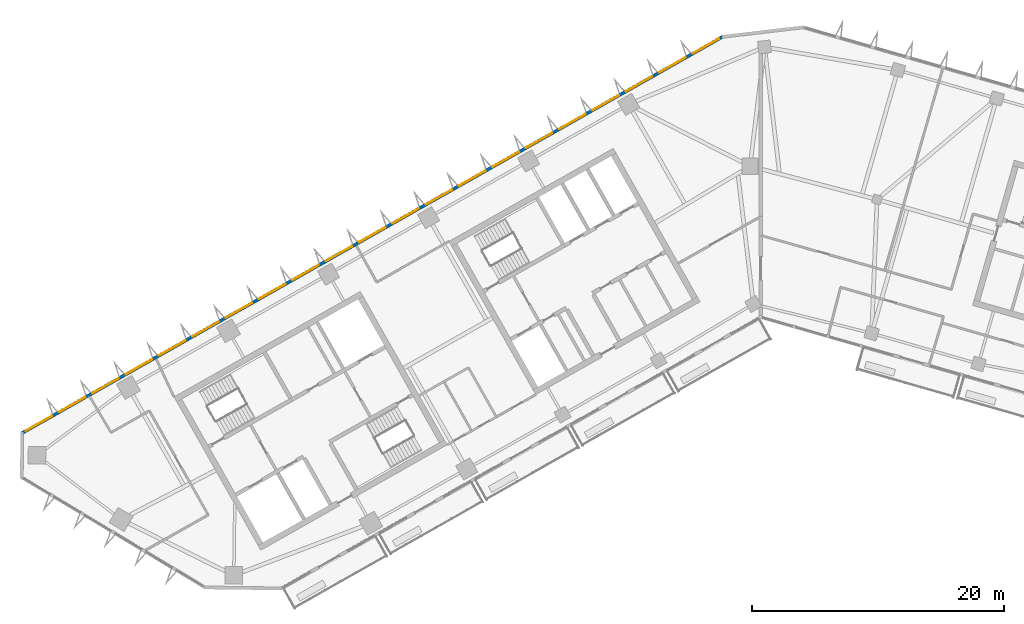
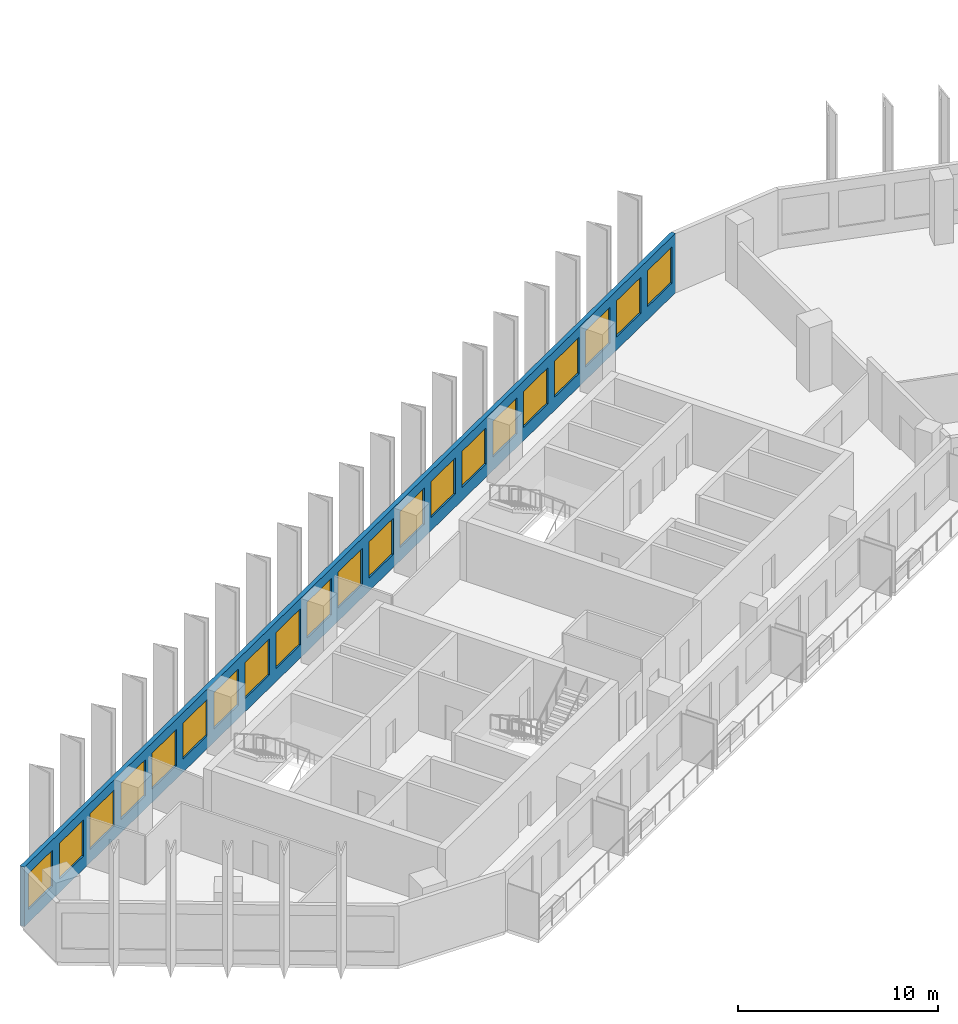
# One storey, part 4 of 12: 21 windows, 1 wall, 21 openings.
"""IFC4 building model written with IfcOpenShell, lengths in metres."""

from ifc_helpers import new_model, si_unit, direction, frame, frame_2d, origin, place, context, subcontext, project, spatial, rectangle, extrude, material, layer, layer_set, type_object, element, fill, save


model = new_model("IFC4")

# Units and contexts
model_context = context("Model", 3, precision=1e-05, world=origin(), true_north=direction((0.0, 1.0)))
body_context = subcontext(model_context, "Body", "Model", "MODEL_VIEW")
ifc_project = project(units=[si_unit("LENGTHUNIT", "METRE"), si_unit("AREAUNIT", "SQUARE_METRE"), si_unit("VOLUMEUNIT", "CUBIC_METRE"), si_unit("PLANEANGLEUNIT", "RADIAN"), si_unit("MASSUNIT", "GRAM", prefix="KILO")], contexts=[model_context])

# Site, building, storey
site_placement = place(None, origin())
site = spatial("IfcSite", under=ifc_project, at=site_placement, CompositionType="ELEMENT")
building_placement = place(site_placement, origin())
building = spatial("IfcBuilding", under=site, at=building_placement, Name="Binnacle Exchange Tower", CompositionType="ELEMENT")
storey_placement = place(building_placement, frame((0.0, 0.0, 238.699951171875)))
storey = spatial("IfcBuildingStorey", under=building, at=storey_placement, Name="L52", CompositionType="ELEMENT", Elevation=238.699951171875)

# Wall, openings, windows
ifc_material_1 = material(Name="Bronze aluminium cladding", Category="aluminium")
ifc_layer = layer(ifc_material_1, 0.25)
ifc_layer_set = layer_set([ifc_layer], Name="External wall - window wall 250")
wall_type = type_object("IfcWallType", Name="External wall - window wall 250", PredefinedType="STANDARD", material=ifc_layer_set)
wall_placement = place(storey_placement, frame((-58.732177734375, 38.770751953125, 0.0), z_axis=(0.0, 0.0, 1.0), x_axis=(0.870354824205, 0.492425100887, 0.0)))
wall = element("IfcWall", 1, at=wall_placement, inside=storey, type_object=wall_type, Name="External wall EW-G08 L52", PredefinedType="STANDARD", context=body_context, shape_type="SweptSolid", body=[
    extrude(rectangle(XDim=64.005859375, YDim=0.25, at=frame_2d((32.0029296875, 0.0))), origin(), (0.0, 0.0, 1.0), 3.6201171875),
])
opening_1_placement = place(wall_placement, frame((61.25927734375, 0.0, 0.800048828125)))
opening_1 = element("IfcOpeningElement", 2, at=opening_1_placement, cuts=wall, Name="Opening WR1", PredefinedType="OPENING", context=body_context, shape_type="SweptSolid", body=[
    extrude(rectangle(XDim=2.39990234375, YDim=2.199951171875, at=frame_2d((1.199951171875, 1.10009765625))), frame((0.0, 0.135009765625, 0.0), z_axis=(0.0, -1.0, 0.0), x_axis=(1.0, 0.0, 0.0)), (0.0, 0.0, 1.0), 0.27001953125),
])
opening_2_placement = place(wall_placement, frame((58.2158203125, 0.0, 0.800048828125)))
opening_2 = element("IfcOpeningElement", 3, at=opening_2_placement, cuts=wall, Name="Opening WR1", PredefinedType="OPENING", context=body_context, shape_type="SweptSolid", body=[
    extrude(rectangle(XDim=2.39990234375, YDim=2.199951171875, at=frame_2d((1.199951171875, 1.10009765625))), frame((0.0, 0.135009765625, 0.0), z_axis=(0.0, -1.0, 0.0), x_axis=(1.0, 0.0, 0.0)), (0.0, 0.0, 1.0), 0.27001953125),
])
opening_3_placement = place(wall_placement, frame((55.172607421875, 0.0, 0.800048828125)))
opening_3 = element("IfcOpeningElement", 4, at=opening_3_placement, cuts=wall, Name="Opening WR1", PredefinedType="OPENING", context=body_context, shape_type="SweptSolid", body=[
    extrude(rectangle(XDim=2.39990234375, YDim=2.199951171875, at=frame_2d((1.199951171875, 1.10009765625))), frame((0.0, 0.135009765625, 0.0), z_axis=(0.0, -1.0, 0.0), x_axis=(1.0, 0.0, 0.0)), (0.0, 0.0, 1.0), 0.27001953125),
])
opening_4_placement = place(wall_placement, frame((52.12939453125, 0.0, 0.800048828125)))
opening_4 = element("IfcOpeningElement", 5, at=opening_4_placement, cuts=wall, Name="Opening WR1", PredefinedType="OPENING", context=body_context, shape_type="SweptSolid", body=[
    extrude(rectangle(XDim=2.39990234375, YDim=2.199951171875, at=frame_2d((1.199951171875, 1.10009765625))), frame((0.0, 0.135009765625, 0.0), z_axis=(0.0, -1.0, 0.0), x_axis=(1.0, 0.0, 0.0)), (0.0, 0.0, 1.0), 0.27001953125),
])
opening_5_placement = place(wall_placement, frame((49.0859375, 0.0, 0.800048828125)))
opening_5 = element("IfcOpeningElement", 6, at=opening_5_placement, cuts=wall, Name="Opening WR1", PredefinedType="OPENING", context=body_context, shape_type="SweptSolid", body=[
    extrude(rectangle(XDim=2.39990234375, YDim=2.199951171875, at=frame_2d((1.199951171875, 1.10009765625))), frame((0.0, 0.135009765625, 0.0), z_axis=(0.0, -1.0, 0.0), x_axis=(1.0, 0.0, 0.0)), (0.0, 0.0, 1.0), 0.27001953125),
])
opening_6_placement = place(wall_placement, frame((46.042724609375, 0.0, 0.800048828125)))
opening_6 = element("IfcOpeningElement", 7, at=opening_6_placement, cuts=wall, Name="Opening WR1", PredefinedType="OPENING", context=body_context, shape_type="SweptSolid", body=[
    extrude(rectangle(XDim=2.39990234375, YDim=2.199951171875, at=frame_2d((1.199951171875, 1.10009765625))), frame((0.0, 0.135009765625, 0.0), z_axis=(0.0, -1.0, 0.0), x_axis=(1.0, 0.0, 0.0)), (0.0, 0.0, 1.0), 0.27001953125),
])
opening_7_placement = place(wall_placement, frame((42.99951171875, 0.0, 0.800048828125)))
opening_7 = element("IfcOpeningElement", 8, at=opening_7_placement, cuts=wall, Name="Opening WR1", PredefinedType="OPENING", context=body_context, shape_type="SweptSolid", body=[
    extrude(rectangle(XDim=2.39990234375, YDim=2.199951171875, at=frame_2d((1.199951171875, 1.10009765625))), frame((0.0, 0.135009765625, 0.0), z_axis=(0.0, -1.0, 0.0), x_axis=(1.0, 0.0, 0.0)), (0.0, 0.0, 1.0), 0.27001953125),
])
opening_8_placement = place(wall_placement, frame((39.956298828125, 0.0, 0.800048828125)))
opening_8 = element("IfcOpeningElement", 9, at=opening_8_placement, cuts=wall, Name="Opening WR1", PredefinedType="OPENING", context=body_context, shape_type="SweptSolid", body=[
    extrude(rectangle(XDim=2.39990234375, YDim=2.199951171875, at=frame_2d((1.199951171875, 1.10009765625))), frame((0.0, 0.135009765625, 0.0), z_axis=(0.0, -1.0, 0.0), x_axis=(1.0, 0.0, 0.0)), (0.0, 0.0, 1.0), 0.27001953125),
])
opening_9_placement = place(wall_placement, frame((36.912841796875, 0.0, 0.800048828125)))
opening_9 = element("IfcOpeningElement", 10, at=opening_9_placement, cuts=wall, Name="Opening WR1", PredefinedType="OPENING", context=body_context, shape_type="SweptSolid", body=[
    extrude(rectangle(XDim=2.39990234375, YDim=2.199951171875, at=frame_2d((1.199951171875, 1.10009765625))), frame((0.0, 0.135009765625, 0.0), z_axis=(0.0, -1.0, 0.0), x_axis=(1.0, 0.0, 0.0)), (0.0, 0.0, 1.0), 0.27001953125),
])
opening_10_placement = place(wall_placement, frame((33.86962890625, 0.0, 0.800048828125)))
opening_10 = element("IfcOpeningElement", 11, at=opening_10_placement, cuts=wall, Name="Opening WR1", PredefinedType="OPENING", context=body_context, shape_type="SweptSolid", body=[
    extrude(rectangle(XDim=2.39990234375, YDim=2.199951171875, at=frame_2d((1.199951171875, 1.10009765625))), frame((0.0, 0.135009765625, 0.0), z_axis=(0.0, -1.0, 0.0), x_axis=(1.0, 0.0, 0.0)), (0.0, 0.0, 1.0), 0.27001953125),
])
opening_11_placement = place(wall_placement, frame((30.826416015625, 0.0, 0.800048828125)))
opening_11 = element("IfcOpeningElement", 12, at=opening_11_placement, cuts=wall, Name="Opening WR1", PredefinedType="OPENING", context=body_context, shape_type="SweptSolid", body=[
    extrude(rectangle(XDim=2.39990234375, YDim=2.199951171875, at=frame_2d((1.199951171875, 1.10009765625))), frame((0.0, 0.135009765625, 0.0), z_axis=(0.0, -1.0, 0.0), x_axis=(1.0, 0.0, 0.0)), (0.0, 0.0, 1.0), 0.27001953125),
])
opening_12_placement = place(wall_placement, frame((27.782958984375, 0.0, 0.800048828125)))
opening_12 = element("IfcOpeningElement", 13, at=opening_12_placement, cuts=wall, Name="Opening WR1", PredefinedType="OPENING", context=body_context, shape_type="SweptSolid", body=[
    extrude(rectangle(XDim=2.39990234375, YDim=2.199951171875, at=frame_2d((1.199951171875, 1.10009765625))), frame((0.0, 0.135009765625, 0.0), z_axis=(0.0, -1.0, 0.0), x_axis=(1.0, 0.0, 0.0)), (0.0, 0.0, 1.0), 0.27001953125),
])
opening_13_placement = place(wall_placement, frame((24.73974609375, 0.0, 0.800048828125)))
opening_13 = element("IfcOpeningElement", 14, at=opening_13_placement, cuts=wall, Name="Opening WR1", PredefinedType="OPENING", context=body_context, shape_type="SweptSolid", body=[
    extrude(rectangle(XDim=2.39990234375, YDim=2.199951171875, at=frame_2d((1.199951171875, 1.10009765625))), frame((0.0, 0.135009765625, 0.0), z_axis=(0.0, -1.0, 0.0), x_axis=(1.0, 0.0, 0.0)), (0.0, 0.0, 1.0), 0.27001953125),
])
opening_14_placement = place(wall_placement, frame((21.6962890625, 0.0, 0.800048828125)))
opening_14 = element("IfcOpeningElement", 15, at=opening_14_placement, cuts=wall, Name="Opening WR1", PredefinedType="OPENING", context=body_context, shape_type="SweptSolid", body=[
    extrude(rectangle(XDim=2.39990234375, YDim=2.199951171875, at=frame_2d((1.199951171875, 1.10009765625))), frame((0.0, 0.135009765625, 0.0), z_axis=(0.0, -1.0, 0.0), x_axis=(1.0, 0.0, 0.0)), (0.0, 0.0, 1.0), 0.27001953125),
])
opening_15_placement = place(wall_placement, frame((18.6533203125, 0.0, 0.800048828125)))
opening_15 = element("IfcOpeningElement", 16, at=opening_15_placement, cuts=wall, Name="Opening WR1", PredefinedType="OPENING", context=body_context, shape_type="SweptSolid", body=[
    extrude(rectangle(XDim=2.39990234375, YDim=2.199951171875, at=frame_2d((1.199951171875, 1.10009765625))), frame((0.0, 0.135009765625, 0.0), z_axis=(0.0, -1.0, 0.0), x_axis=(1.0, 0.0, 0.0)), (0.0, 0.0, 1.0), 0.27001953125),
])
opening_16_placement = place(wall_placement, frame((15.60986328125, 0.0, 0.800048828125)))
opening_16 = element("IfcOpeningElement", 17, at=opening_16_placement, cuts=wall, Name="Opening WR1", PredefinedType="OPENING", context=body_context, shape_type="SweptSolid", body=[
    extrude(rectangle(XDim=2.39990234375, YDim=2.199951171875, at=frame_2d((1.199951171875, 1.10009765625))), frame((0.0, 0.135009765625, 0.0), z_axis=(0.0, -1.0, 0.0), x_axis=(1.0, 0.0, 0.0)), (0.0, 0.0, 1.0), 0.27001953125),
])
opening_17_placement = place(wall_placement, frame((12.566650390625, 0.0, 0.800048828125)))
opening_17 = element("IfcOpeningElement", 18, at=opening_17_placement, cuts=wall, Name="Opening WR1", PredefinedType="OPENING", context=body_context, shape_type="SweptSolid", body=[
    extrude(rectangle(XDim=2.39990234375, YDim=2.199951171875, at=frame_2d((1.199951171875, 1.10009765625))), frame((0.0, 0.135009765625, 0.0), z_axis=(0.0, -1.0, 0.0), x_axis=(1.0, 0.0, 0.0)), (0.0, 0.0, 1.0), 0.27001953125),
])
opening_18_placement = place(wall_placement, frame((9.523193359375, 0.0, 0.800048828125)))
opening_18 = element("IfcOpeningElement", 19, at=opening_18_placement, cuts=wall, Name="Opening WR1", PredefinedType="OPENING", context=body_context, shape_type="SweptSolid", body=[
    extrude(rectangle(XDim=2.39990234375, YDim=2.199951171875, at=frame_2d((1.199951171875, 1.10009765625))), frame((0.0, 0.135009765625, 0.0), z_axis=(0.0, -1.0, 0.0), x_axis=(1.0, 0.0, 0.0)), (0.0, 0.0, 1.0), 0.27001953125),
])
opening_19_placement = place(wall_placement, frame((6.47998046875, 0.0, 0.800048828125)))
opening_19 = element("IfcOpeningElement", 20, at=opening_19_placement, cuts=wall, Name="Opening WR1", PredefinedType="OPENING", context=body_context, shape_type="SweptSolid", body=[
    extrude(rectangle(XDim=2.39990234375, YDim=2.199951171875, at=frame_2d((1.199951171875, 1.10009765625))), frame((0.0, 0.135009765625, 0.0), z_axis=(0.0, -1.0, 0.0), x_axis=(1.0, 0.0, 0.0)), (0.0, 0.0, 1.0), 0.27001953125),
])
opening_20_placement = place(wall_placement, frame((3.436767578125, 0.0, 0.800048828125)))
opening_20 = element("IfcOpeningElement", 21, at=opening_20_placement, cuts=wall, Name="Opening WR1", PredefinedType="OPENING", context=body_context, shape_type="SweptSolid", body=[
    extrude(rectangle(XDim=2.39990234375, YDim=2.199951171875, at=frame_2d((1.199951171875, 1.10009765625))), frame((0.0, 0.135009765625, 0.0), z_axis=(0.0, -1.0, 0.0), x_axis=(1.0, 0.0, 0.0)), (0.0, 0.0, 1.0), 0.27001953125),
])
opening_21_placement = place(wall_placement, frame((0.393310546875, 0.0, 0.800048828125)))
opening_21 = element("IfcOpeningElement", 22, at=opening_21_placement, cuts=wall, Name="Opening WR1", PredefinedType="OPENING", context=body_context, shape_type="SweptSolid", body=[
    extrude(rectangle(XDim=2.39990234375, YDim=2.199951171875, at=frame_2d((1.199951171875, 1.10009765625))), frame((0.0, 0.135009765625, 0.0), z_axis=(0.0, -1.0, 0.0), x_axis=(1.0, 0.0, 0.0)), (0.0, 0.0, 1.0), 0.27001953125),
])
ifc_material_2 = material(Name="Bronze anodised aluminium frame", Category="aluminium")
window_type = type_object("IfcWindowType", Name="WR1 WINDOW 2400x2200", PartitioningType="SINGLE_PANEL", PredefinedType="WINDOW", material=ifc_material_2)
window_1_placement = place(opening_1_placement, origin())
window_1 = element("IfcWindow", 23, at=window_1_placement, inside=storey, type_object=window_type, Name="Window WR1 L52", OverallHeight=2.199951171875, OverallWidth=2.39990234375, PartitioningType="SINGLE_PANEL", PredefinedType="WINDOW", context=body_context, shape_type="SweptSolid", body=[
    extrude(rectangle(XDim=2.39990234375, YDim=2.199951171875, at=frame_2d((1.199951171875, 1.10009765625))), frame((0.0, 0.030029296875, 0.0), z_axis=(0.0, -1.0, 0.0), x_axis=(1.0, 0.0, 0.0)), (0.0, 0.0, 1.0), 0.06005859375),
])
fill(opening_1, window_1)
window_2_placement = place(opening_2_placement, origin())
window_2 = element("IfcWindow", 24, at=window_2_placement, inside=storey, type_object=window_type, Name="Window WR1 L52", OverallHeight=2.199951171875, OverallWidth=2.39990234375, PartitioningType="SINGLE_PANEL", PredefinedType="WINDOW", context=body_context, shape_type="SweptSolid", body=[
    extrude(rectangle(XDim=2.39990234375, YDim=2.199951171875, at=frame_2d((1.199951171875, 1.10009765625))), frame((0.0, 0.030029296875, 0.0), z_axis=(0.0, -1.0, 0.0), x_axis=(1.0, 0.0, 0.0)), (0.0, 0.0, 1.0), 0.06005859375),
])
fill(opening_2, window_2)
window_3_placement = place(opening_3_placement, origin())
window_3 = element("IfcWindow", 25, at=window_3_placement, inside=storey, type_object=window_type, Name="Window WR1 L52", OverallHeight=2.199951171875, OverallWidth=2.39990234375, PartitioningType="SINGLE_PANEL", PredefinedType="WINDOW", context=body_context, shape_type="SweptSolid", body=[
    extrude(rectangle(XDim=2.39990234375, YDim=2.199951171875, at=frame_2d((1.199951171875, 1.10009765625))), frame((0.0, 0.030029296875, 0.0), z_axis=(0.0, -1.0, 0.0), x_axis=(1.0, 0.0, 0.0)), (0.0, 0.0, 1.0), 0.06005859375),
])
fill(opening_3, window_3)
window_4_placement = place(opening_4_placement, origin())
window_4 = element("IfcWindow", 26, at=window_4_placement, inside=storey, type_object=window_type, Name="Window WR1 L52", OverallHeight=2.199951171875, OverallWidth=2.39990234375, PartitioningType="SINGLE_PANEL", PredefinedType="WINDOW", context=body_context, shape_type="SweptSolid", body=[
    extrude(rectangle(XDim=2.39990234375, YDim=2.199951171875, at=frame_2d((1.199951171875, 1.10009765625))), frame((0.0, 0.030029296875, 0.0), z_axis=(0.0, -1.0, 0.0), x_axis=(1.0, 0.0, 0.0)), (0.0, 0.0, 1.0), 0.06005859375),
])
fill(opening_4, window_4)
window_5_placement = place(opening_5_placement, origin())
window_5 = element("IfcWindow", 27, at=window_5_placement, inside=storey, type_object=window_type, Name="Window WR1 L52", OverallHeight=2.199951171875, OverallWidth=2.39990234375, PartitioningType="SINGLE_PANEL", PredefinedType="WINDOW", context=body_context, shape_type="SweptSolid", body=[
    extrude(rectangle(XDim=2.39990234375, YDim=2.199951171875, at=frame_2d((1.199951171875, 1.10009765625))), frame((0.0, 0.030029296875, 0.0), z_axis=(0.0, -1.0, 0.0), x_axis=(1.0, 0.0, 0.0)), (0.0, 0.0, 1.0), 0.06005859375),
])
fill(opening_5, window_5)
window_6_placement = place(opening_6_placement, origin())
window_6 = element("IfcWindow", 28, at=window_6_placement, inside=storey, type_object=window_type, Name="Window WR1 L52", OverallHeight=2.199951171875, OverallWidth=2.39990234375, PartitioningType="SINGLE_PANEL", PredefinedType="WINDOW", context=body_context, shape_type="SweptSolid", body=[
    extrude(rectangle(XDim=2.39990234375, YDim=2.199951171875, at=frame_2d((1.199951171875, 1.10009765625))), frame((0.0, 0.030029296875, 0.0), z_axis=(0.0, -1.0, 0.0), x_axis=(1.0, 0.0, 0.0)), (0.0, 0.0, 1.0), 0.06005859375),
])
fill(opening_6, window_6)
window_7_placement = place(opening_7_placement, origin())
window_7 = element("IfcWindow", 29, at=window_7_placement, inside=storey, type_object=window_type, Name="Window WR1 L52", OverallHeight=2.199951171875, OverallWidth=2.39990234375, PartitioningType="SINGLE_PANEL", PredefinedType="WINDOW", context=body_context, shape_type="SweptSolid", body=[
    extrude(rectangle(XDim=2.39990234375, YDim=2.199951171875, at=frame_2d((1.199951171875, 1.10009765625))), frame((0.0, 0.030029296875, 0.0), z_axis=(0.0, -1.0, 0.0), x_axis=(1.0, 0.0, 0.0)), (0.0, 0.0, 1.0), 0.06005859375),
])
fill(opening_7, window_7)
window_8_placement = place(opening_8_placement, origin())
window_8 = element("IfcWindow", 30, at=window_8_placement, inside=storey, type_object=window_type, Name="Window WR1 L52", OverallHeight=2.199951171875, OverallWidth=2.39990234375, PartitioningType="SINGLE_PANEL", PredefinedType="WINDOW", context=body_context, shape_type="SweptSolid", body=[
    extrude(rectangle(XDim=2.39990234375, YDim=2.199951171875, at=frame_2d((1.199951171875, 1.10009765625))), frame((0.0, 0.030029296875, 0.0), z_axis=(0.0, -1.0, 0.0), x_axis=(1.0, 0.0, 0.0)), (0.0, 0.0, 1.0), 0.06005859375),
])
fill(opening_8, window_8)
window_9_placement = place(opening_9_placement, origin())
window_9 = element("IfcWindow", 31, at=window_9_placement, inside=storey, type_object=window_type, Name="Window WR1 L52", OverallHeight=2.199951171875, OverallWidth=2.39990234375, PartitioningType="SINGLE_PANEL", PredefinedType="WINDOW", context=body_context, shape_type="SweptSolid", body=[
    extrude(rectangle(XDim=2.39990234375, YDim=2.199951171875, at=frame_2d((1.199951171875, 1.10009765625))), frame((0.0, 0.030029296875, 0.0), z_axis=(0.0, -1.0, 0.0), x_axis=(1.0, 0.0, 0.0)), (0.0, 0.0, 1.0), 0.06005859375),
])
fill(opening_9, window_9)
window_10_placement = place(opening_10_placement, origin())
window_10 = element("IfcWindow", 32, at=window_10_placement, inside=storey, type_object=window_type, Name="Window WR1 L52", OverallHeight=2.199951171875, OverallWidth=2.39990234375, PartitioningType="SINGLE_PANEL", PredefinedType="WINDOW", context=body_context, shape_type="SweptSolid", body=[
    extrude(rectangle(XDim=2.39990234375, YDim=2.199951171875, at=frame_2d((1.199951171875, 1.10009765625))), frame((0.0, 0.030029296875, 0.0), z_axis=(0.0, -1.0, 0.0), x_axis=(1.0, 0.0, 0.0)), (0.0, 0.0, 1.0), 0.06005859375),
])
fill(opening_10, window_10)
window_11_placement = place(opening_11_placement, origin())
window_11 = element("IfcWindow", 33, at=window_11_placement, inside=storey, type_object=window_type, Name="Window WR1 L52", OverallHeight=2.199951171875, OverallWidth=2.39990234375, PartitioningType="SINGLE_PANEL", PredefinedType="WINDOW", context=body_context, shape_type="SweptSolid", body=[
    extrude(rectangle(XDim=2.39990234375, YDim=2.199951171875, at=frame_2d((1.199951171875, 1.10009765625))), frame((0.0, 0.030029296875, 0.0), z_axis=(0.0, -1.0, 0.0), x_axis=(1.0, 0.0, 0.0)), (0.0, 0.0, 1.0), 0.06005859375),
])
fill(opening_11, window_11)
window_12_placement = place(opening_12_placement, origin())
window_12 = element("IfcWindow", 34, at=window_12_placement, inside=storey, type_object=window_type, Name="Window WR1 L52", OverallHeight=2.199951171875, OverallWidth=2.39990234375, PartitioningType="SINGLE_PANEL", PredefinedType="WINDOW", context=body_context, shape_type="SweptSolid", body=[
    extrude(rectangle(XDim=2.39990234375, YDim=2.199951171875, at=frame_2d((1.199951171875, 1.10009765625))), frame((0.0, 0.030029296875, 0.0), z_axis=(0.0, -1.0, 0.0), x_axis=(1.0, 0.0, 0.0)), (0.0, 0.0, 1.0), 0.06005859375),
])
fill(opening_12, window_12)
window_13_placement = place(opening_13_placement, origin())
window_13 = element("IfcWindow", 35, at=window_13_placement, inside=storey, type_object=window_type, Name="Window WR1 L52", OverallHeight=2.199951171875, OverallWidth=2.39990234375, PartitioningType="SINGLE_PANEL", PredefinedType="WINDOW", context=body_context, shape_type="SweptSolid", body=[
    extrude(rectangle(XDim=2.39990234375, YDim=2.199951171875, at=frame_2d((1.199951171875, 1.10009765625))), frame((0.0, 0.030029296875, 0.0), z_axis=(0.0, -1.0, 0.0), x_axis=(1.0, 0.0, 0.0)), (0.0, 0.0, 1.0), 0.06005859375),
])
fill(opening_13, window_13)
window_14_placement = place(opening_14_placement, origin())
window_14 = element("IfcWindow", 36, at=window_14_placement, inside=storey, type_object=window_type, Name="Window WR1 L52", OverallHeight=2.199951171875, OverallWidth=2.39990234375, PartitioningType="SINGLE_PANEL", PredefinedType="WINDOW", context=body_context, shape_type="SweptSolid", body=[
    extrude(rectangle(XDim=2.39990234375, YDim=2.199951171875, at=frame_2d((1.199951171875, 1.10009765625))), frame((0.0, 0.030029296875, 0.0), z_axis=(0.0, -1.0, 0.0), x_axis=(1.0, 0.0, 0.0)), (0.0, 0.0, 1.0), 0.06005859375),
])
fill(opening_14, window_14)
window_15_placement = place(opening_15_placement, origin())
window_15 = element("IfcWindow", 37, at=window_15_placement, inside=storey, type_object=window_type, Name="Window WR1 L52", OverallHeight=2.199951171875, OverallWidth=2.39990234375, PartitioningType="SINGLE_PANEL", PredefinedType="WINDOW", context=body_context, shape_type="SweptSolid", body=[
    extrude(rectangle(XDim=2.39990234375, YDim=2.199951171875, at=frame_2d((1.199951171875, 1.10009765625))), frame((0.0, 0.030029296875, 0.0), z_axis=(0.0, -1.0, 0.0), x_axis=(1.0, 0.0, 0.0)), (0.0, 0.0, 1.0), 0.06005859375),
])
fill(opening_15, window_15)
window_16_placement = place(opening_16_placement, origin())
window_16 = element("IfcWindow", 38, at=window_16_placement, inside=storey, type_object=window_type, Name="Window WR1 L52", OverallHeight=2.199951171875, OverallWidth=2.39990234375, PartitioningType="SINGLE_PANEL", PredefinedType="WINDOW", context=body_context, shape_type="SweptSolid", body=[
    extrude(rectangle(XDim=2.39990234375, YDim=2.199951171875, at=frame_2d((1.199951171875, 1.10009765625))), frame((0.0, 0.030029296875, 0.0), z_axis=(0.0, -1.0, 0.0), x_axis=(1.0, 0.0, 0.0)), (0.0, 0.0, 1.0), 0.06005859375),
])
fill(opening_16, window_16)
window_17_placement = place(opening_17_placement, origin())
window_17 = element("IfcWindow", 39, at=window_17_placement, inside=storey, type_object=window_type, Name="Window WR1 L52", OverallHeight=2.199951171875, OverallWidth=2.39990234375, PartitioningType="SINGLE_PANEL", PredefinedType="WINDOW", context=body_context, shape_type="SweptSolid", body=[
    extrude(rectangle(XDim=2.39990234375, YDim=2.199951171875, at=frame_2d((1.199951171875, 1.10009765625))), frame((0.0, 0.030029296875, 0.0), z_axis=(0.0, -1.0, 0.0), x_axis=(1.0, 0.0, 0.0)), (0.0, 0.0, 1.0), 0.06005859375),
])
fill(opening_17, window_17)
window_18_placement = place(opening_18_placement, origin())
window_18 = element("IfcWindow", 40, at=window_18_placement, inside=storey, type_object=window_type, Name="Window WR1 L52", OverallHeight=2.199951171875, OverallWidth=2.39990234375, PartitioningType="SINGLE_PANEL", PredefinedType="WINDOW", context=body_context, shape_type="SweptSolid", body=[
    extrude(rectangle(XDim=2.39990234375, YDim=2.199951171875, at=frame_2d((1.199951171875, 1.10009765625))), frame((0.0, 0.030029296875, 0.0), z_axis=(0.0, -1.0, 0.0), x_axis=(1.0, 0.0, 0.0)), (0.0, 0.0, 1.0), 0.06005859375),
])
fill(opening_18, window_18)
window_19_placement = place(opening_19_placement, origin())
window_19 = element("IfcWindow", 41, at=window_19_placement, inside=storey, type_object=window_type, Name="Window WR1 L52", OverallHeight=2.199951171875, OverallWidth=2.39990234375, PartitioningType="SINGLE_PANEL", PredefinedType="WINDOW", context=body_context, shape_type="SweptSolid", body=[
    extrude(rectangle(XDim=2.39990234375, YDim=2.199951171875, at=frame_2d((1.199951171875, 1.10009765625))), frame((0.0, 0.030029296875, 0.0), z_axis=(0.0, -1.0, 0.0), x_axis=(1.0, 0.0, 0.0)), (0.0, 0.0, 1.0), 0.06005859375),
])
fill(opening_19, window_19)
window_20_placement = place(opening_20_placement, origin())
window_20 = element("IfcWindow", 42, at=window_20_placement, inside=storey, type_object=window_type, Name="Window WR1 L52", OverallHeight=2.199951171875, OverallWidth=2.39990234375, PartitioningType="SINGLE_PANEL", PredefinedType="WINDOW", context=body_context, shape_type="SweptSolid", body=[
    extrude(rectangle(XDim=2.39990234375, YDim=2.199951171875, at=frame_2d((1.199951171875, 1.10009765625))), frame((0.0, 0.030029296875, 0.0), z_axis=(0.0, -1.0, 0.0), x_axis=(1.0, 0.0, 0.0)), (0.0, 0.0, 1.0), 0.06005859375),
])
fill(opening_20, window_20)
window_21_placement = place(opening_21_placement, origin())
window_21 = element("IfcWindow", 43, at=window_21_placement, inside=storey, type_object=window_type, Name="Window WR1 L52", OverallHeight=2.199951171875, OverallWidth=2.39990234375, PartitioningType="SINGLE_PANEL", PredefinedType="WINDOW", context=body_context, shape_type="SweptSolid", body=[
    extrude(rectangle(XDim=2.39990234375, YDim=2.199951171875, at=frame_2d((1.199951171875, 1.10009765625))), frame((0.0, 0.030029296875, 0.0), z_axis=(0.0, -1.0, 0.0), x_axis=(1.0, 0.0, 0.0)), (0.0, 0.0, 1.0), 0.06005859375),
])
fill(opening_21, window_21)

save(model, "model.ifc")
